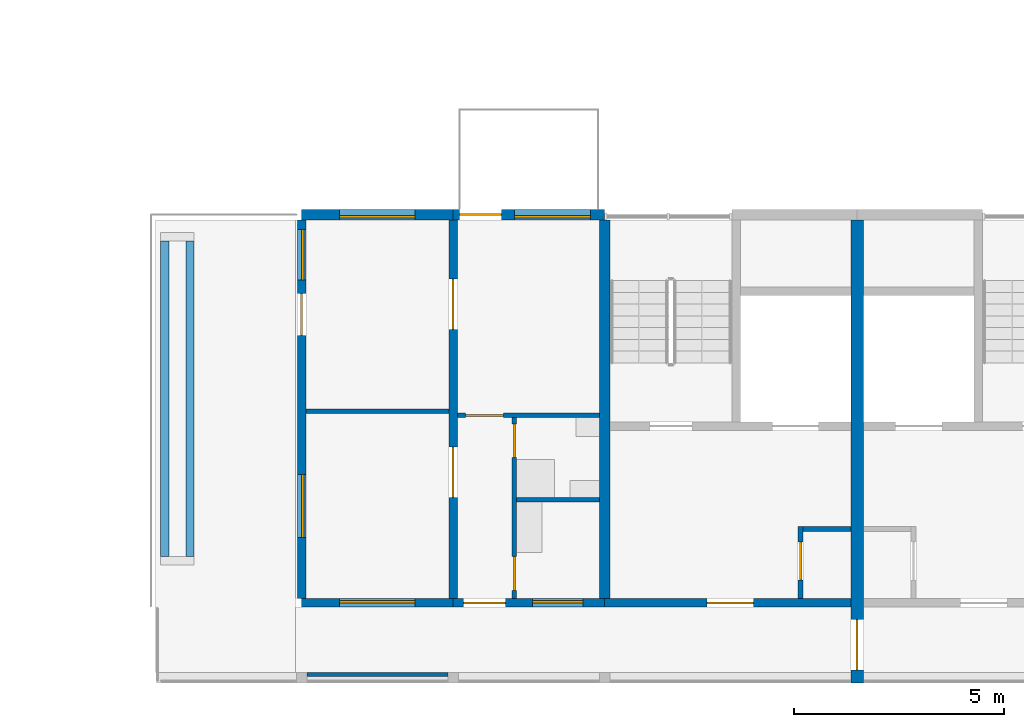
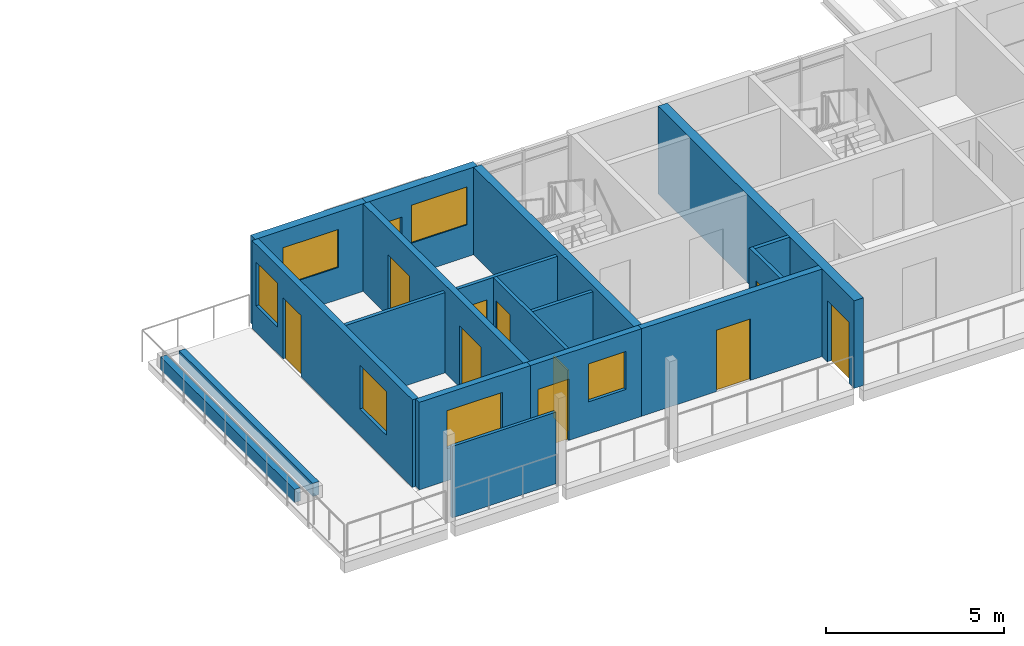
# One storey, part 47 of 87: 18 walls, 11 doors, 6 windows, 17 openings.
"""IFC4 building model written with IfcOpenShell, lengths in metres."""

from ifc_helpers import new_model, si_unit, direction, frame, frame_2d, origin, place, context, subcontext, project, spatial, rectangle, extrude, material, layer, layer_set, type_object, element, fill, save


model = new_model("IFC4")

# Units and contexts
model_context = context("Model", 3, precision=1e-05, world=origin(), true_north=direction((0.0, 1.0)))
body_context = subcontext(model_context, "Body", "Model", "MODEL_VIEW")
ifc_project = project(units=[si_unit("LENGTHUNIT", "METRE"), si_unit("AREAUNIT", "SQUARE_METRE"), si_unit("VOLUMEUNIT", "CUBIC_METRE"), si_unit("PLANEANGLEUNIT", "RADIAN"), si_unit("MASSUNIT", "GRAM", prefix="KILO")], contexts=[model_context])

# Site, building, storey
site_placement = place(None, origin())
site = spatial("IfcSite", under=ifc_project, at=site_placement, CompositionType="ELEMENT")
building_placement = place(site_placement, origin())
building = spatial("IfcBuilding", under=site, at=building_placement, Name="Ridgestep Commons", CompositionType="ELEMENT")
storey_placement = place(building_placement, frame((0.0, 0.0, 27.0)))
storey = spatial("IfcBuildingStorey", under=building, at=storey_placement, Name="L09", CompositionType="ELEMENT", Elevation=27.0)

# Wall
ifc_material_1 = material(Name="Concrete C30/37", Category="concrete")
ifc_layer_1 = layer(ifc_material_1, 0.25)
ifc_layer_set_1 = layer_set([ifc_layer_1], Name="Core cross wall 250")
wall_type_1 = type_object("IfcWallType", Name="Core cross wall 250", PredefinedType="SHEAR", material=ifc_layer_set_1)
wall_1_placement = place(storey_placement, frame((157.60009765625, 13.75, 0.0), z_axis=(0.0, 0.0, 1.0), x_axis=(0.0, 1.0, 0.0)))
element("IfcWall", 1, at=wall_1_placement, inside=storey, type_object=wall_type_1, Name="Cross wall D-09-1576", PredefinedType="SHEAR", context=body_context, shape_type="SweptSolid", body=[
    extrude(rectangle(XDim=9.0, YDim=0.25, at=frame_2d((4.5, 0.0))), origin(), (0.0, 0.0, 1.0), 3.0),
])

# Wall, opening, door
ifc_material_2 = material(Name="Concrete C30/37", Category="concrete")
ifc_layer_2 = layer(ifc_material_2, 0.199951171875)
ifc_layer_set_2 = layer_set([ifc_layer_2], Name="Core south wall 200")
wall_type_2 = type_object("IfcWallType", Name="Core south wall 200", PredefinedType="SHEAR", material=ifc_layer_set_2)
wall_2_placement = place(storey_placement, frame((157.60009765625, 13.64990234375, 0.0), z_axis=(0.0, 0.0, 1.0), x_axis=(1.0, 0.0, 0.0)))
wall_2 = element("IfcWall", 2, at=wall_2_placement, inside=storey, type_object=wall_type_2, Name="Core south wall D1C L09", PredefinedType="SHEAR", context=body_context, shape_type="SweptSolid", body=[
    extrude(rectangle(XDim=5.849853515625, YDim=0.199951171875, at=frame_2d((2.9248046875, 0.0))), origin(), (0.0, 0.0, 1.0), 3.0),
])
opening_1_placement = place(wall_2_placement, frame((2.4375, 0.0, 0.0)))
opening_1 = element("IfcOpeningElement", 3, at=opening_1_placement, cuts=wall_2, Name="Opening D1C/09/1", PredefinedType="OPENING", context=body_context, shape_type="SweptSolid", body=[
    extrude(rectangle(XDim=1.10009765625, YDim=2.10009765625, at=frame_2d((0.550048828125, 1.050048828125))), frame((0.0, 0.10986328125, 0.0), z_axis=(0.0, -1.0, 0.0), x_axis=(1.0, 0.0, 0.0)), (0.0, 0.0, 1.0), 0.219970703125),
])
ifc_material_3 = material(Name="Steel fire door", Category="steel")
door_type_1 = type_object("IfcDoorType", Name="Lobby door 1100 x 2100 FD60", OperationType="NOTDEFINED", PredefinedType="DOOR", material=ifc_material_3)
door_1_placement = place(opening_1_placement, origin())
door_1 = element("IfcDoor", 4, at=door_1_placement, inside=storey, type_object=door_type_1, Name="Lobby door D1C/09/1", OperationType="SINGLE_SWING_LEFT", OverallHeight=2.10009765625, OverallWidth=1.10009765625, PredefinedType="DOOR", context=body_context, shape_type="SweptSolid", body=[
    extrude(rectangle(XDim=1.10009765625, YDim=2.10009765625, at=frame_2d((0.550048828125, 1.050048828125))), frame((0.0, 0.02490234375, 0.0), z_axis=(0.0, -1.0, 0.0), x_axis=(1.0, 0.0, 0.0)), (0.0, 0.0, 1.0), 0.050048828125),
])
fill(opening_1, door_1)

ifc_material_4 = material(Name="Concrete C30/37", Category="concrete")
ifc_layer_3 = layer(ifc_material_4, 0.1201171875)
ifc_layer_set_3 = layer_set([ifc_layer_3], Name="Core wall 120")
wall_type_3 = type_object("IfcWallType", Name="Core wall 120", PredefinedType="SHEAR", material=ifc_layer_set_3)
wall_3_placement = place(storey_placement, frame((162.260009765625, 13.75, 0.0), z_axis=(0.0, 0.0, 1.0), x_axis=(0.0, 1.0, 0.0)))
wall_3 = element("IfcWall", 5, at=wall_3_placement, inside=storey, type_object=wall_type_3, Name="Core riser w wall D1C L09", PredefinedType="SHEAR", context=body_context, shape_type="SweptSolid", body=[
    extrude(rectangle(XDim=1.719970703125, YDim=0.1201171875, at=frame_2d((0.85986328125, 0.0))), origin(), (0.0, 0.0, 1.0), 3.0),
])
opening_2_placement = place(wall_3_placement, frame((0.449951171875, 0.0, 0.0)))
opening_2 = element("IfcOpeningElement", 6, at=opening_2_placement, cuts=wall_3, Name="Opening D1C/09/4", PredefinedType="OPENING", context=body_context, shape_type="SweptSolid", body=[
    extrude(rectangle(XDim=0.89990234375, YDim=2.10009765625, at=frame_2d((0.449951171875, 1.050048828125))), frame((0.0, 0.070068359375, 0.0), z_axis=(0.0, -1.0, 0.0), x_axis=(1.0, 0.0, 0.0)), (0.0, 0.0, 1.0), 0.14013671875),
])
ifc_material_5 = material(Name="Steel fire door", Category="steel")
door_type_2 = type_object("IfcDoorType", Name="Riser door 900 x 2100 FD60", OperationType="NOTDEFINED", PredefinedType="DOOR", material=ifc_material_5)
door_2_placement = place(opening_2_placement, origin())
door_2 = element("IfcDoor", 7, at=door_2_placement, inside=storey, type_object=door_type_2, Name="Riser door D1C/09/4", OperationType="SINGLE_SWING_LEFT", OverallHeight=2.10009765625, OverallWidth=0.89990234375, PredefinedType="DOOR", context=body_context, shape_type="SweptSolid", body=[
    extrude(rectangle(XDim=0.89990234375, YDim=2.10009765625, at=frame_2d((0.449951171875, 1.050048828125))), frame((0.0, 0.02490234375, 0.0), z_axis=(0.0, -1.0, 0.0), x_axis=(1.0, 0.0, 0.0)), (0.0, 0.0, 1.0), 0.050048828125),
])
fill(opening_2, door_2)

# Wall
wall_4_placement = place(storey_placement, frame((162.320068359375, 15.409912109375, 0.0), z_axis=(0.0, 0.0, 1.0), x_axis=(1.0, 0.0, 0.0)))
element("IfcWall", 8, at=wall_4_placement, inside=storey, type_object=wall_type_3, Name="Core riser n wall D1C L09", PredefinedType="SHEAR", context=body_context, shape_type="SweptSolid", body=[
    extrude(rectangle(XDim=1.1298828125, YDim=0.1201171875, at=frame_2d((0.56494140625, 0.0))), origin(), (0.0, 0.0, 1.0), 3.0),
])

# Wall, openings, doors
ifc_material_6 = material(Name="Precast concrete C40/50", Category="concrete")
ifc_layer_4 = layer(ifc_material_6, 0.199951171875)
ifc_layer_set_4 = layer_set([ifc_layer_4], Name="Cross wall 200")
wall_type_4 = type_object("IfcWallType", Name="Cross wall 200", PredefinedType="SHEAR", material=ifc_layer_set_4)
wall_5_placement = place(storey_placement, frame((154.0, 13.75, 0.0), z_axis=(0.0, 0.0, 1.0), x_axis=(0.0, 1.0, 0.0)))
wall_5 = element("IfcWall", 9, at=wall_5_placement, inside=storey, type_object=wall_type_4, Name="Cross wall D-09-1540", PredefinedType="SHEAR", context=body_context, shape_type="SweptSolid", body=[
    extrude(rectangle(XDim=9.0, YDim=0.199951171875, at=frame_2d((4.5, 0.0))), origin(), (0.0, 0.0, 1.0), 3.0),
])
opening_3_placement = place(wall_5_placement, frame((2.39990234375, 0.0, 0.0)))
opening_3 = element("IfcOpeningElement", 10, at=opening_3_placement, cuts=wall_5, Name="Opening D1-09a/5", PredefinedType="OPENING", context=body_context, shape_type="SweptSolid", body=[
    extrude(rectangle(XDim=1.199951171875, YDim=2.10009765625, at=frame_2d((0.60009765625, 1.050048828125))), frame((0.0, 0.10986328125, 0.0), z_axis=(0.0, -1.0, 0.0), x_axis=(1.0, 0.0, 0.0)), (0.0, 0.0, 1.0), 0.219970703125),
])
opening_4_placement = place(wall_5_placement, frame((6.39990234375, 0.0, 0.0)))
opening_4 = element("IfcOpeningElement", 11, at=opening_4_placement, cuts=wall_5, Name="Opening D1-09a/6", PredefinedType="OPENING", context=body_context, shape_type="SweptSolid", body=[
    extrude(rectangle(XDim=1.199951171875, YDim=2.10009765625, at=frame_2d((0.60009765625, 1.050048828125))), frame((0.0, 0.10986328125, 0.0), z_axis=(0.0, -1.0, 0.0), x_axis=(1.0, 0.0, 0.0)), (0.0, 0.0, 1.0), 0.219970703125),
])
ifc_material_7 = material(Name="Timber door leaf", Category="wood")
door_type_3 = type_object("IfcDoorType", Name="Double door 1200 x 2100", OperationType="DOUBLE_DOOR_SINGLE_SWING", PredefinedType="DOOR", material=ifc_material_7)
door_3_placement = place(opening_3_placement, origin())
door_3 = element("IfcDoor", 12, at=door_3_placement, inside=storey, type_object=door_type_3, Name="Double door D1-09a/5", OperationType="DOUBLE_DOOR_SINGLE_SWING", OverallHeight=2.10009765625, OverallWidth=1.199951171875, PredefinedType="DOOR", context=body_context, shape_type="SweptSolid", body=[
    extrude(rectangle(XDim=1.199951171875, YDim=2.10009765625, at=frame_2d((0.60009765625, 1.050048828125))), frame((0.0, 0.02490234375, 0.0), z_axis=(0.0, -1.0, 0.0), x_axis=(1.0, 0.0, 0.0)), (0.0, 0.0, 1.0), 0.050048828125),
])
fill(opening_3, door_3)
door_4_placement = place(opening_4_placement, origin())
door_4 = element("IfcDoor", 13, at=door_4_placement, inside=storey, type_object=door_type_3, Name="Double door D1-09a/6", OperationType="DOUBLE_DOOR_SINGLE_SWING", OverallHeight=2.10009765625, OverallWidth=1.199951171875, PredefinedType="DOOR", context=body_context, shape_type="SweptSolid", body=[
    extrude(rectangle(XDim=1.199951171875, YDim=2.10009765625, at=frame_2d((0.60009765625, 1.050048828125))), frame((0.0, 0.02490234375, 0.0), z_axis=(0.0, -1.0, 0.0), x_axis=(1.0, 0.0, 0.0)), (0.0, 0.0, 1.0), 0.050048828125),
])
fill(opening_4, door_4)

# Wall, opening, door
ifc_material_8 = material(Name="Precast concrete C40/50", Category="concrete")
ifc_layer_5 = layer(ifc_material_8, 0.300048828125)
ifc_layer_set_5 = layer_set([ifc_layer_5], Name="Division wall 300")
wall_type_5 = type_object("IfcWallType", Name="Division wall 300", PredefinedType="SHEAR", material=ifc_layer_set_5)
wall_6_placement = place(storey_placement, frame((163.60009765625, 11.75, 0.0), z_axis=(0.0, 0.0, 1.0), x_axis=(0.0, 1.0, 0.0)))
wall_6 = element("IfcWall", 14, at=wall_6_placement, inside=storey, type_object=wall_type_5, Name="Cross wall D-09-1636", PredefinedType="SHEAR", context=body_context, shape_type="SweptSolid", body=[
    extrude(rectangle(XDim=11.0, YDim=0.300048828125, at=frame_2d((5.5, 0.0))), origin(), (0.0, 0.0, 1.0), 3.0),
])
opening_5_placement = place(wall_6_placement, frame((0.300048828125, 0.0, 0.0)))
opening_5 = element("IfcOpeningElement", 15, at=opening_5_placement, cuts=wall_6, Name="Opening D/09/G1636", PredefinedType="OPENING", context=body_context, shape_type="SweptSolid", body=[
    extrude(rectangle(XDim=1.199951171875, YDim=2.10009765625, at=frame_2d((0.60009765625, 1.050048828125))), frame((0.0, 0.159912109375, 0.0), z_axis=(0.0, -1.0, 0.0), x_axis=(1.0, 0.0, 0.0)), (0.0, 0.0, 1.0), 0.320068359375),
])
ifc_material_9 = material(Name="Steel fire door", Category="steel")
door_type_4 = type_object("IfcDoorType", Name="Division fire door 1200 x 2100 EI 240", OperationType="DOUBLE_DOOR_SINGLE_SWING", PredefinedType="DOOR", material=ifc_material_9)
door_5_placement = place(opening_5_placement, origin())
door_5 = element("IfcDoor", 16, at=door_5_placement, inside=storey, type_object=door_type_4, Name="Division fire door D/09/G1636", OperationType="DOUBLE_DOOR_SINGLE_SWING", OverallHeight=2.10009765625, OverallWidth=1.199951171875, PredefinedType="DOOR", context=body_context, shape_type="SweptSolid", body=[
    extrude(rectangle(XDim=1.199951171875, YDim=2.10009765625, at=frame_2d((0.60009765625, 1.050048828125))), frame((0.0, 0.02490234375, 0.0), z_axis=(0.0, -1.0, 0.0), x_axis=(1.0, 0.0, 0.0)), (0.0, 0.0, 1.0), 0.050048828125),
])
fill(opening_5, door_5)

# Wall, openings, windows, door
ifc_material_10 = material(Name="Precast concrete C40/50", Category="concrete")
ifc_layer_6 = layer(ifc_material_10, 0.199951171875)
ifc_layer_set_6 = layer_set([ifc_layer_6], Name="Exposed cross wall 200")
wall_type_6 = type_object("IfcWallType", Name="Exposed cross wall 200", PredefinedType="SHEAR", material=ifc_layer_set_6)
wall_7_placement = place(storey_placement, frame((150.39990234375, 13.75, 0.0), z_axis=(0.0, 0.0, 1.0), x_axis=(0.0, 1.0, 0.0)))
wall_7 = element("IfcWall", 17, at=wall_7_placement, inside=storey, type_object=wall_type_6, Name="Cross wall D-09-1504", PredefinedType="SHEAR", context=body_context, shape_type="SweptSolid", body=[
    extrude(rectangle(XDim=9.0, YDim=0.199951171875, at=frame_2d((4.5, 0.0))), origin(), (0.0, 0.0, 1.0), 3.0),
])
opening_6_placement = place(wall_7_placement, frame((1.449951171875, 0.0, 0.89990234375)))
opening_6 = element("IfcOpeningElement", 18, at=opening_6_placement, cuts=wall_7, Name="Opening W16", PredefinedType="OPENING", context=body_context, shape_type="SweptSolid", body=[
    extrude(rectangle(XDim=1.5, YDim=1.5, at=frame_2d((0.75, 0.75))), frame((0.0, 0.10986328125, 0.0), z_axis=(0.0, -1.0, 0.0), x_axis=(1.0, 0.0, 0.0)), (0.0, 0.0, 1.0), 0.219970703125),
])
opening_7_placement = place(wall_7_placement, frame((7.577392578125, 0.0, 0.89990234375)))
opening_7 = element("IfcOpeningElement", 19, at=opening_7_placement, cuts=wall_7, Name="Opening W10", PredefinedType="OPENING", context=body_context, shape_type="SweptSolid", body=[
    extrude(rectangle(XDim=1.199951171875, YDim=1.5, at=frame_2d((0.60009765625, 0.75))), frame((0.0, 0.10986328125, 0.0), z_axis=(0.0, -1.0, 0.0), x_axis=(1.0, 0.0, 0.0)), (0.0, 0.0, 1.0), 0.219970703125),
])
opening_8_placement = place(wall_7_placement, frame((6.2548828125, 0.0, 0.0)))
opening_8 = element("IfcOpeningElement", 20, at=opening_8_placement, cuts=wall_7, Name="Opening D1-09a/7", PredefinedType="OPENING", context=body_context, shape_type="SweptSolid", body=[
    extrude(rectangle(XDim=1.0, YDim=2.10009765625, at=frame_2d((0.5, 1.050048828125))), frame((0.0, 0.10986328125, 0.0), z_axis=(0.0, -1.0, 0.0), x_axis=(1.0, 0.0, 0.0)), (0.0, 0.0, 1.0), 0.219970703125),
])
ifc_material_11 = material(Name="Aluminium 6063-T6 and glass", Category="aluminium")
window_type_1 = type_object("IfcWindowType", Name="Flat window 1200 x 1500", PartitioningType="SINGLE_PANEL", PredefinedType="WINDOW", material=ifc_material_11)
window_1_placement = place(opening_7_placement, origin())
window_1 = element("IfcWindow", 21, at=window_1_placement, inside=storey, type_object=window_type_1, Name="Window D1-09a 6", OverallHeight=1.5, OverallWidth=1.199951171875, PartitioningType="SINGLE_PANEL", PredefinedType="WINDOW", context=body_context, shape_type="SweptSolid", body=[
    extrude(rectangle(XDim=1.199951171875, YDim=1.5, at=frame_2d((0.60009765625, 0.75))), frame((0.0, 0.0, 0.0), z_axis=(0.0, -1.0, 0.0), x_axis=(1.0, 0.0, 0.0)), (0.0, 0.0, 1.0), 0.06005859375),
])
fill(opening_7, window_1)
ifc_material_12 = material(Name="Aluminium 6063-T6 and glass", Category="aluminium")
window_type_2 = type_object("IfcWindowType", Name="Flat window 1500 x 1500", PartitioningType="DOUBLE_PANEL_VERTICAL", PredefinedType="WINDOW", material=ifc_material_12)
window_2_placement = place(opening_6_placement, origin())
window_2 = element("IfcWindow", 22, at=window_2_placement, inside=storey, type_object=window_type_2, Name="Window D1-09a 5", OverallHeight=1.5, OverallWidth=1.5, PartitioningType="SINGLE_PANEL", PredefinedType="WINDOW", context=body_context, shape_type="SweptSolid", body=[
    extrude(rectangle(XDim=1.5, YDim=1.5, at=frame_2d((0.75, 0.75))), frame((0.0, 0.0, 0.0), z_axis=(0.0, -1.0, 0.0), x_axis=(1.0, 0.0, 0.0)), (0.0, 0.0, 1.0), 0.06005859375),
])
fill(opening_6, window_2)
ifc_material_13 = material(Name="Aluminium and glass", Category="aluminium")
door_type_5 = type_object("IfcDoorType", Name="Terrace door 1000 x 2100", OperationType="NOTDEFINED", PredefinedType="DOOR", material=ifc_material_13)
door_6_placement = place(opening_8_placement, origin())
door_6 = element("IfcDoor", 23, at=door_6_placement, inside=storey, type_object=door_type_5, Name="Terrace door D1-09a/7", OperationType="SINGLE_SWING_RIGHT", OverallHeight=2.10009765625, OverallWidth=1.0, PredefinedType="DOOR", context=body_context, shape_type="SweptSolid", body=[
    extrude(rectangle(XDim=1.0, YDim=2.10009765625, at=frame_2d((0.5, 1.050048828125))), frame((0.0, 0.02490234375, 0.0), z_axis=(0.0, -1.0, 0.0), x_axis=(1.0, 0.0, 0.0)), (0.0, 0.0, 1.0), 0.050048828125),
])
fill(opening_8, door_6)

# Wall, opening, window
ifc_material_14 = material(Name="Precast concrete C40/50", Category="concrete")
ifc_layer_7 = layer(ifc_material_14, 0.25)
ifc_layer_set_7 = layer_set([ifc_layer_7], Name="North facade panel 250")
wall_type_7 = type_object("IfcWallType", Name="North facade panel 250", PredefinedType="SOLIDWALL", material=ifc_layer_set_7)
wall_8_placement = place(storey_placement, frame((150.39990234375, 22.875, 0.0), z_axis=(0.0, 0.0, 1.0), x_axis=(1.0, 0.0, 0.0)))
wall_8 = element("IfcWall", 24, at=wall_8_placement, inside=storey, type_object=wall_type_7, Name="North panel D1T2 L09", PredefinedType="SOLIDWALL", context=body_context, shape_type="SweptSolid", body=[
    extrude(rectangle(XDim=3.60009765625, YDim=0.25, at=frame_2d((1.800048828125, 0.0))), origin(), (0.0, 0.0, 1.0), 3.0),
])
opening_9_placement = place(wall_8_placement, frame((0.89990234375, 0.0, 1.10009765625)))
opening_9 = element("IfcOpeningElement", 25, at=opening_9_placement, cuts=wall_8, Name="Opening W18", PredefinedType="OPENING", context=body_context, shape_type="SweptSolid", body=[
    extrude(rectangle(XDim=1.800048828125, YDim=1.300048828125, at=frame_2d((0.89990234375, 0.64990234375))), frame((0.0, 0.135009765625, 0.0), z_axis=(0.0, -1.0, 0.0), x_axis=(1.0, 0.0, 0.0)), (0.0, 0.0, 1.0), 0.27001953125),
])
ifc_material_15 = material(Name="Aluminium 6063-T6 and glass", Category="aluminium")
window_type_3 = type_object("IfcWindowType", Name="Flat window 1800 x 1300", PartitioningType="DOUBLE_PANEL_VERTICAL", PredefinedType="WINDOW", material=ifc_material_15)
window_3_placement = place(opening_9_placement, origin())
window_3 = element("IfcWindow", 26, at=window_3_placement, inside=storey, type_object=window_type_3, Name="Window D1-09a 2", OverallHeight=1.300048828125, OverallWidth=1.800048828125, PartitioningType="SINGLE_PANEL", PredefinedType="WINDOW", context=body_context, shape_type="SweptSolid", body=[
    extrude(rectangle(XDim=1.800048828125, YDim=1.300048828125, at=frame_2d((0.89990234375, 0.64990234375))), frame((0.0, -0.02490234375, 0.0), z_axis=(0.0, -1.0, 0.0), x_axis=(1.0, 0.0, 0.0)), (0.0, 0.0, 1.0), 0.06005859375),
])
fill(opening_9, window_3)

# Wall, openings, door, window
wall_9_placement = place(storey_placement, frame((154.0, 22.875, 0.0), z_axis=(0.0, 0.0, 1.0), x_axis=(1.0, 0.0, 0.0)))
wall_9 = element("IfcWall", 27, at=wall_9_placement, inside=storey, type_object=wall_type_7, Name="North panel D1T3 L09", PredefinedType="SOLIDWALL", context=body_context, shape_type="SweptSolid", body=[
    extrude(rectangle(XDim=3.60009765625, YDim=0.25, at=frame_2d((1.800048828125, 0.0))), origin(), (0.0, 0.0, 1.0), 3.0),
])
opening_10_placement = place(wall_9_placement, frame((1.46240234375, 0.0, 1.10009765625)))
opening_10 = element("IfcOpeningElement", 28, at=opening_10_placement, cuts=wall_9, Name="Opening W18", PredefinedType="OPENING", context=body_context, shape_type="SweptSolid", body=[
    extrude(rectangle(XDim=1.800048828125, YDim=1.300048828125, at=frame_2d((0.89990234375, 0.64990234375))), frame((0.0, 0.135009765625, 0.0), z_axis=(0.0, -1.0, 0.0), x_axis=(1.0, 0.0, 0.0)), (0.0, 0.0, 1.0), 0.27001953125),
])
opening_11_placement = place(wall_9_placement, frame((0.14990234375, 0.0, 0.0)))
opening_11 = element("IfcOpeningElement", 29, at=opening_11_placement, cuts=wall_9, Name="Opening D1-09a/8", PredefinedType="OPENING", context=body_context, shape_type="SweptSolid", body=[
    extrude(rectangle(XDim=1.0, YDim=2.10009765625, at=frame_2d((0.5, 1.050048828125))), frame((0.0, 0.135009765625, 0.0), z_axis=(0.0, -1.0, 0.0), x_axis=(1.0, 0.0, 0.0)), (0.0, 0.0, 1.0), 0.27001953125),
])
ifc_material_16 = material(Name="Aluminium and glass", Category="aluminium")
door_type_6 = type_object("IfcDoorType", Name="Balcony door 1000 x 2100", OperationType="NOTDEFINED", PredefinedType="DOOR", material=ifc_material_16)
door_7_placement = place(opening_11_placement, origin())
door_7 = element("IfcDoor", 30, at=door_7_placement, inside=storey, type_object=door_type_6, Name="Balcony door D1-09a/8", OperationType="SINGLE_SWING_RIGHT", OverallHeight=2.10009765625, OverallWidth=1.0, PredefinedType="DOOR", context=body_context, shape_type="SweptSolid", body=[
    extrude(rectangle(XDim=1.0, YDim=2.10009765625, at=frame_2d((0.5, 1.050048828125))), frame((0.0, 0.02490234375, 0.0), z_axis=(0.0, -1.0, 0.0), x_axis=(1.0, 0.0, 0.0)), (0.0, 0.0, 1.0), 0.050048828125),
])
fill(opening_11, door_7)
window_4_placement = place(opening_10_placement, origin())
window_4 = element("IfcWindow", 31, at=window_4_placement, inside=storey, type_object=window_type_3, Name="Window D1-09a 4", OverallHeight=1.300048828125, OverallWidth=1.800048828125, PartitioningType="SINGLE_PANEL", PredefinedType="WINDOW", context=body_context, shape_type="SweptSolid", body=[
    extrude(rectangle(XDim=1.800048828125, YDim=1.300048828125, at=frame_2d((0.89990234375, 0.64990234375))), frame((0.0, -0.02490234375, 0.0), z_axis=(0.0, -1.0, 0.0), x_axis=(1.0, 0.0, 0.0)), (0.0, 0.0, 1.0), 0.06005859375),
])
fill(opening_10, window_4)

# Wall, openings, doors
ifc_material_17 = material(Name="Common brick 110 mm", Category="masonry")
ifc_layer_8 = layer(ifc_material_17, 0.110107421875)
ifc_layer_set_8 = layer_set([ifc_layer_8], Name="Partition 110")
wall_type_8 = type_object("IfcWallType", Name="Partition 110", PredefinedType="PARTITIONING", material=ifc_layer_set_8)
wall_10_placement = place(storey_placement, frame((155.455078125, 13.75, 0.0), z_axis=(0.0, 0.0, 1.0), x_axis=(0.0, 1.0, 0.0)))
wall_10 = element("IfcWall", 32, at=wall_10_placement, inside=storey, type_object=wall_type_8, Name="Partition D1-09a", PredefinedType="PARTITIONING", context=body_context, shape_type="SweptSolid", body=[
    extrude(rectangle(XDim=4.300048828125, YDim=0.110107421875, at=frame_2d((2.14990234375, 0.0))), origin(), (0.0, 0.0, 1.0), 2.800048828125),
])
opening_12_placement = place(wall_10_placement, frame((0.199951171875, 0.0, 0.0)))
opening_12 = element("IfcOpeningElement", 33, at=opening_12_placement, cuts=wall_10, Name="Opening D1-09a/2", PredefinedType="OPENING", context=body_context, shape_type="SweptSolid", body=[
    extrude(rectangle(XDim=0.800048828125, YDim=2.10009765625, at=frame_2d((0.39990234375, 1.050048828125))), frame((0.0, 0.06494140625, 0.0), z_axis=(0.0, -1.0, 0.0), x_axis=(1.0, 0.0, 0.0)), (0.0, 0.0, 1.0), 0.130126953125),
])
opening_13_placement = place(wall_10_placement, frame((3.35009765625, 0.0, 0.0)))
opening_13 = element("IfcOpeningElement", 34, at=opening_13_placement, cuts=wall_10, Name="Opening D1-09a/3", PredefinedType="OPENING", context=body_context, shape_type="SweptSolid", body=[
    extrude(rectangle(XDim=0.800048828125, YDim=2.10009765625, at=frame_2d((0.39990234375, 1.050048828125))), frame((0.0, 0.06494140625, 0.0), z_axis=(0.0, -1.0, 0.0), x_axis=(1.0, 0.0, 0.0)), (0.0, 0.0, 1.0), 0.130126953125),
])
ifc_material_18 = material(Name="Timber door leaf", Category="wood")
door_type_7 = type_object("IfcDoorType", Name="Internal door 800 x 2100", OperationType="NOTDEFINED", PredefinedType="DOOR", material=ifc_material_18)
door_8_placement = place(opening_12_placement, origin())
door_8 = element("IfcDoor", 35, at=door_8_placement, inside=storey, type_object=door_type_7, Name="Internal door D1-09a/2", OperationType="SINGLE_SWING_RIGHT", OverallHeight=2.10009765625, OverallWidth=0.800048828125, PredefinedType="DOOR", context=body_context, shape_type="SweptSolid", body=[
    extrude(rectangle(XDim=0.800048828125, YDim=2.10009765625, at=frame_2d((0.39990234375, 1.050048828125))), frame((0.0, 0.02490234375, 0.0), z_axis=(0.0, -1.0, 0.0), x_axis=(1.0, 0.0, 0.0)), (0.0, 0.0, 1.0), 0.050048828125),
])
fill(opening_12, door_8)
door_9_placement = place(opening_13_placement, origin())
door_9 = element("IfcDoor", 36, at=door_9_placement, inside=storey, type_object=door_type_7, Name="Internal door D1-09a/3", OperationType="SINGLE_SWING_LEFT", OverallHeight=2.10009765625, OverallWidth=0.800048828125, PredefinedType="DOOR", context=body_context, shape_type="SweptSolid", body=[
    extrude(rectangle(XDim=0.800048828125, YDim=2.10009765625, at=frame_2d((0.39990234375, 1.050048828125))), frame((0.0, 0.02490234375, 0.0), z_axis=(0.0, -1.0, 0.0), x_axis=(1.0, 0.0, 0.0)), (0.0, 0.0, 1.0), 0.050048828125),
])
fill(opening_13, door_9)

# Wall
wall_11_placement = place(storey_placement, frame((155.510009765625, 16.10498046875, 0.0), z_axis=(0.0, 0.0, 1.0), x_axis=(1.0, 0.0, 0.0)))
element("IfcWall", 37, at=wall_11_placement, inside=storey, type_object=wall_type_8, Name="Partition D1-09a", PredefinedType="PARTITIONING", context=body_context, shape_type="SweptSolid", body=[
    extrude(rectangle(XDim=1.965087890625, YDim=0.110107421875, at=frame_2d((0.982421875, 0.0))), origin(), (0.0, 0.0, 1.0), 2.800048828125),
])

# Wall, opening, door
wall_12_placement = place(storey_placement, frame((154.10009765625, 18.10498046875, 0.0), z_axis=(0.0, 0.0, 1.0), x_axis=(1.0, 0.0, 0.0)))
wall_12 = element("IfcWall", 38, at=wall_12_placement, inside=storey, type_object=wall_type_8, Name="Partition D1-09a", PredefinedType="PARTITIONING", context=body_context, shape_type="SweptSolid", body=[
    extrude(rectangle(XDim=3.375, YDim=0.110107421875, at=frame_2d((1.6875, 0.0))), origin(), (0.0, 0.0, 1.0), 2.800048828125),
])
opening_14_placement = place(wall_12_placement, frame((0.199951171875, 0.0, 0.0)))
opening_14 = element("IfcOpeningElement", 39, at=opening_14_placement, cuts=wall_12, Name="Opening D1-09a/4", PredefinedType="OPENING", context=body_context, shape_type="SweptSolid", body=[
    extrude(rectangle(XDim=0.89990234375, YDim=2.10009765625, at=frame_2d((0.449951171875, 1.050048828125))), frame((0.0, 0.06494140625, 0.0), z_axis=(0.0, -1.0, 0.0), x_axis=(1.0, 0.0, 0.0)), (0.0, 0.0, 1.0), 0.130126953125),
])
ifc_material_19 = material(Name="Timber door leaf", Category="wood")
door_type_8 = type_object("IfcDoorType", Name="Internal door 900 x 2100", OperationType="NOTDEFINED", PredefinedType="DOOR", material=ifc_material_19)
door_10_placement = place(opening_14_placement, origin())
door_10 = element("IfcDoor", 40, at=door_10_placement, inside=storey, type_object=door_type_8, Name="Internal door D1-09a/4", OperationType="SINGLE_SWING_LEFT", OverallHeight=2.10009765625, OverallWidth=0.89990234375, PredefinedType="DOOR", context=body_context, shape_type="SweptSolid", body=[
    extrude(rectangle(XDim=0.89990234375, YDim=2.10009765625, at=frame_2d((0.449951171875, 1.050048828125))), frame((0.0, 0.02490234375, 0.0), z_axis=(0.0, -1.0, 0.0), x_axis=(1.0, 0.0, 0.0)), (0.0, 0.0, 1.0), 0.050048828125),
])
fill(opening_14, door_10)

# Walls
wall_13_placement = place(storey_placement, frame((150.5, 18.205078125, 0.0), z_axis=(0.0, 0.0, 1.0), x_axis=(1.0, 0.0, 0.0)))
element("IfcWall", 41, at=wall_13_placement, inside=storey, type_object=wall_type_8, Name="Partition D1-09a", PredefinedType="PARTITIONING", context=body_context, shape_type="SweptSolid", body=[
    extrude(rectangle(XDim=3.39990234375, YDim=0.110107421875, at=frame_2d((1.699951171875, 0.0))), origin(), (0.0, 0.0, 1.0), 2.75),
])
ifc_material_20 = material(Name="Precast concrete C30/37", Category="concrete")
ifc_layer_9 = layer(ifc_material_20, 0.10009765625)
ifc_layer_set_9 = layer_set([ifc_layer_9], Name="Perforated gallery screen 3350 x 2450 x 100")
wall_type_9 = type_object("IfcWallType", Name="Perforated gallery screen 3350 x 2450 x 100", PredefinedType="SOLIDWALL", material=ifc_layer_set_9)
wall_14_placement = place(storey_placement, frame((150.52490234375, 11.949951171875, 0.0), z_axis=(0.0, 0.0, 1.0), x_axis=(1.0, 0.0, 0.0)))
element("IfcWall", 42, at=wall_14_placement, inside=storey, type_object=wall_type_9, Name="Gallery screen D1T2 09", PredefinedType="SOLIDWALL", context=body_context, shape_type="SweptSolid", body=[
    extrude(rectangle(XDim=3.35009765625, YDim=0.10009765625, at=frame_2d((1.675048828125, 0.0))), origin(), (0.0, 0.0, 1.0), 2.449951171875),
])
ifc_material_21 = material(Name="Facing brick", Category="masonry")
ifc_layer_10 = layer(ifc_material_21, 0.199951171875)
ifc_layer_set_10 = layer_set([ifc_layer_10], Name="Planter wall 200")
wall_type_10 = type_object("IfcWallType", Name="Planter wall 200", PredefinedType="SOLIDWALL", material=ifc_layer_set_10)
for number, where, z_axis, x_axis, name in (
    (43, (147.14990234375, 14.75, 0.010009765625), (0.0, 0.0, 1.0), (0.0, 1.0, 0.0), "Planter wall D1R1W"),
    (44, (147.75, 14.75, 0.010009765625), (0.0, 0.0, 1.0), (0.0, 1.0, 0.0), "Planter wall D1R1E"),
):
    element("IfcWall", number, at=place(storey_placement, frame(where, z_axis=z_axis, x_axis=x_axis)), inside=storey, type_object=wall_type_10, Name=name, PredefinedType="SOLIDWALL", context=body_context, shape_type="SweptSolid", body=[
        extrude(rectangle(XDim=7.5, YDim=0.199951171875, at=frame_2d((3.75, 0.0))), origin(), (0.0, 0.0, 1.0), 0.449951171875),
    ])

# Wall, opening, window
ifc_material_22 = material(Name="Precast concrete C40/50", Category="concrete")
ifc_layer_11 = layer(ifc_material_22, 0.199951171875)
ifc_layer_set_11 = layer_set([ifc_layer_11], Name="South facade panel 200")
wall_type_11 = type_object("IfcWallType", Name="South facade panel 200", PredefinedType="SOLIDWALL", material=ifc_layer_set_11)
wall_15_placement = place(storey_placement, frame((150.39990234375, 13.64990234375, 0.0), z_axis=(0.0, 0.0, 1.0), x_axis=(1.0, 0.0, 0.0)))
wall_15 = element("IfcWall", 45, at=wall_15_placement, inside=storey, type_object=wall_type_11, Name="South panel D1T2 L09", PredefinedType="SOLIDWALL", context=body_context, shape_type="SweptSolid", body=[
    extrude(rectangle(XDim=3.60009765625, YDim=0.199951171875, at=frame_2d((1.800048828125, 0.0))), origin(), (0.0, 0.0, 1.0), 3.0),
])
opening_15_placement = place(wall_15_placement, frame((0.89990234375, 0.0, 1.10009765625)))
opening_15 = element("IfcOpeningElement", 46, at=opening_15_placement, cuts=wall_15, Name="Opening W18", PredefinedType="OPENING", context=body_context, shape_type="SweptSolid", body=[
    extrude(rectangle(XDim=1.800048828125, YDim=1.300048828125, at=frame_2d((0.89990234375, 0.64990234375))), frame((0.0, 0.10986328125, 0.0), z_axis=(0.0, -1.0, 0.0), x_axis=(1.0, 0.0, 0.0)), (0.0, 0.0, 1.0), 0.219970703125),
])
window_5_placement = place(opening_15_placement, origin())
window_5 = element("IfcWindow", 47, at=window_5_placement, inside=storey, type_object=window_type_3, Name="Window D1-09a 1", OverallHeight=1.300048828125, OverallWidth=1.800048828125, PartitioningType="SINGLE_PANEL", PredefinedType="WINDOW", context=body_context, shape_type="SweptSolid", body=[
    extrude(rectangle(XDim=1.800048828125, YDim=1.300048828125, at=frame_2d((0.89990234375, 0.64990234375))), frame((0.0, 0.06005859375, 0.0), z_axis=(0.0, -1.0, 0.0), x_axis=(1.0, 0.0, 0.0)), (0.0, 0.0, 1.0), 0.06005859375),
])
fill(opening_15, window_5)

# Wall, openings, door, window
wall_16_placement = place(storey_placement, frame((154.0, 13.64990234375, 0.0), z_axis=(0.0, 0.0, 1.0), x_axis=(1.0, 0.0, 0.0)))
wall_16 = element("IfcWall", 48, at=wall_16_placement, inside=storey, type_object=wall_type_11, Name="South panel D1T3 L09", PredefinedType="SOLIDWALL", context=body_context, shape_type="SweptSolid", body=[
    extrude(rectangle(XDim=3.60009765625, YDim=0.199951171875, at=frame_2d((1.800048828125, 0.0))), origin(), (0.0, 0.0, 1.0), 3.0),
])
opening_16_placement = place(wall_16_placement, frame((1.892578125, 0.0, 1.10009765625)))
opening_16 = element("IfcOpeningElement", 49, at=opening_16_placement, cuts=wall_16, Name="Opening W08", PredefinedType="OPENING", context=body_context, shape_type="SweptSolid", body=[
    extrude(rectangle(XDim=1.199951171875, YDim=1.300048828125, at=frame_2d((0.60009765625, 0.64990234375))), frame((0.0, 0.10986328125, 0.0), z_axis=(0.0, -1.0, 0.0), x_axis=(1.0, 0.0, 0.0)), (0.0, 0.0, 1.0), 0.219970703125),
])
opening_17_placement = place(wall_16_placement, frame((0.25, 0.0, 0.0)))
opening_17 = element("IfcOpeningElement", 50, at=opening_17_placement, cuts=wall_16, Name="Opening D1-09a/1", PredefinedType="OPENING", context=body_context, shape_type="SweptSolid", body=[
    extrude(rectangle(XDim=1.0, YDim=2.10009765625, at=frame_2d((0.5, 1.050048828125))), frame((0.0, 0.10986328125, 0.0), z_axis=(0.0, -1.0, 0.0), x_axis=(1.0, 0.0, 0.0)), (0.0, 0.0, 1.0), 0.219970703125),
])
ifc_material_23 = material(Name="Timber door leaf", Category="wood")
door_type_9 = type_object("IfcDoorType", Name="Flat entrance door 1000 x 2100 FD30S", OperationType="NOTDEFINED", PredefinedType="DOOR", material=ifc_material_23)
door_11_placement = place(opening_17_placement, origin())
door_11 = element("IfcDoor", 51, at=door_11_placement, inside=storey, type_object=door_type_9, Name="Flat entrance door D1-09a/1", OperationType="SINGLE_SWING_LEFT", OverallHeight=2.10009765625, OverallWidth=1.0, PredefinedType="DOOR", context=body_context, shape_type="SweptSolid", body=[
    extrude(rectangle(XDim=1.0, YDim=2.10009765625, at=frame_2d((0.5, 1.050048828125))), frame((0.0, 0.02490234375, 0.0), z_axis=(0.0, -1.0, 0.0), x_axis=(1.0, 0.0, 0.0)), (0.0, 0.0, 1.0), 0.050048828125),
])
fill(opening_17, door_11)
ifc_material_24 = material(Name="Aluminium 6063-T6 and glass", Category="aluminium")
window_type_4 = type_object("IfcWindowType", Name="Flat window 1200 x 1300", PartitioningType="SINGLE_PANEL", PredefinedType="WINDOW", material=ifc_material_24)
window_6_placement = place(opening_16_placement, origin())
window_6 = element("IfcWindow", 52, at=window_6_placement, inside=storey, type_object=window_type_4, Name="Window D1-09a 3", OverallHeight=1.300048828125, OverallWidth=1.199951171875, PartitioningType="SINGLE_PANEL", PredefinedType="WINDOW", context=body_context, shape_type="SweptSolid", body=[
    extrude(rectangle(XDim=1.199951171875, YDim=1.300048828125, at=frame_2d((0.60009765625, 0.64990234375))), frame((0.0, 0.06005859375, 0.0), z_axis=(0.0, -1.0, 0.0), x_axis=(1.0, 0.0, 0.0)), (0.0, 0.0, 1.0), 0.06005859375),
])
fill(opening_16, window_6)

save(model, "model.ifc")
